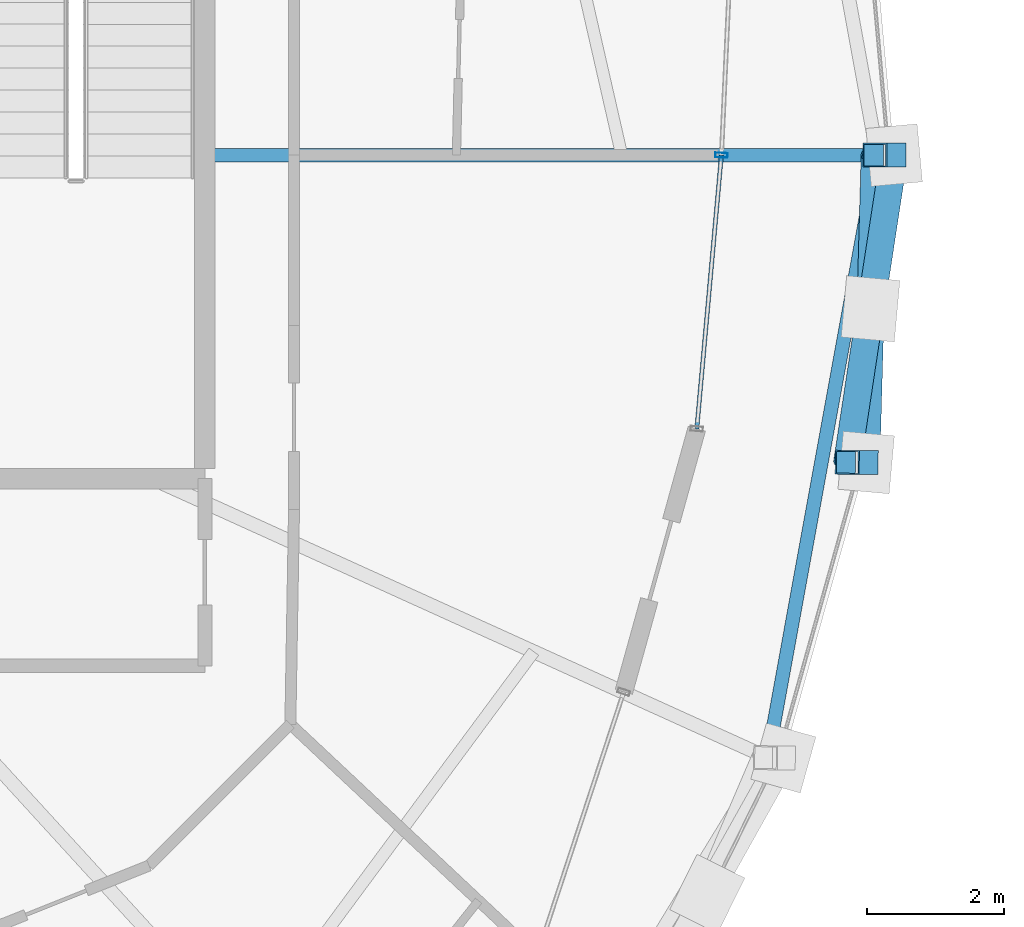
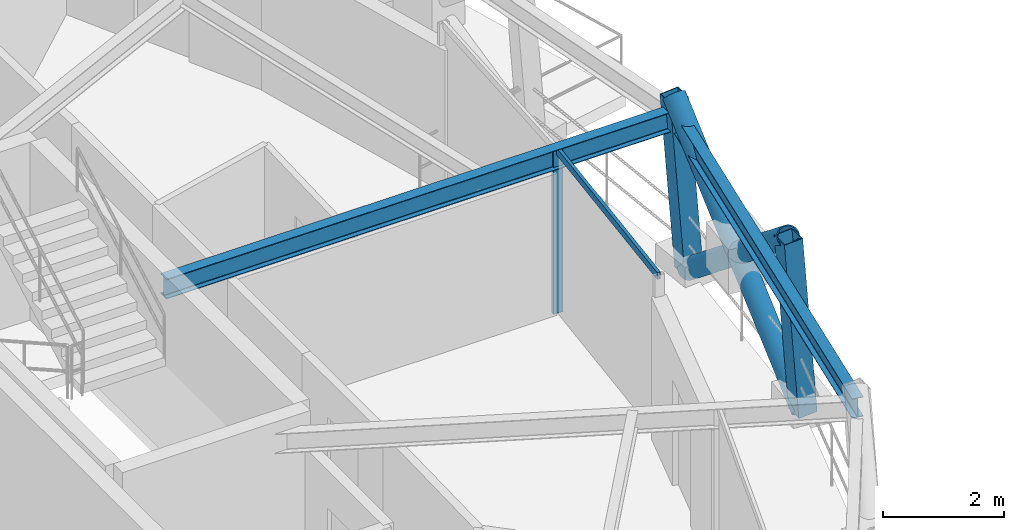
# One storey, part 3 of 12: 7 members, 2 beams, 1 element without a shape of its own.
"""IFC4 building model written with IfcOpenShell, lengths in metres."""

from ifc_helpers import new_model, si_unit, direction, frame, origin, origin_2d, place, context, subcontext, project, spatial, hollow_rectangle, hollow_circle, i_section, extrude, material, layer, layer_set, material_profile, profile_set, type_object, element, aggregate, save


model = new_model("IFC4")

# Units and contexts
model_context = context("Model", 3, precision=1e-05, world=origin(), true_north=direction((0.0, 1.0)))
body_context = subcontext(model_context, "Body", "Model", "MODEL_VIEW")
ifc_project = project(units=[si_unit("LENGTHUNIT", "METRE"), si_unit("AREAUNIT", "SQUARE_METRE"), si_unit("VOLUMEUNIT", "CUBIC_METRE"), si_unit("PLANEANGLEUNIT", "RADIAN"), si_unit("MASSUNIT", "GRAM", prefix="KILO")], contexts=[model_context])

# Site, building, storey
site_placement = place(None, origin())
site = spatial("IfcSite", under=ifc_project, at=site_placement, CompositionType="ELEMENT")
building_placement = place(site_placement, origin())
building = spatial("IfcBuilding", under=site, at=building_placement, Name="Veldorina Hangang Commons", CompositionType="ELEMENT")
storey_placement = place(building_placement, frame((0.0, 0.0, 272.39990234375)))
storey = spatial("IfcBuildingStorey", under=building, at=storey_placement, Name="L71", CompositionType="ELEMENT", Elevation=272.39990234375)

# Beams
ifc_material_1 = material(Name="Steel SM355-TMC", Category="steel")
ifc_material_profile_1 = material_profile(ifc_material_1, i_section(OverallWidth=0.199951171875, OverallDepth=0.39990234375, WebThickness=0.008056640625, FlangeThickness=0.012939453125, FilletRadius=0.012939453125, at=origin_2d()), Name="H-400x200x8x13")
ifc_profile_set_1 = profile_set([ifc_material_profile_1], Name="Steel SM355-TMC")
beam_type_1 = type_object("IfcBeamType", Name="BM-FG400", PredefinedType="BEAM", material=ifc_profile_set_1)
beam_1_placement = place(storey_placement, frame((43.179931640625, 24.0, 3.16015625), z_axis=(1.0, 0.0, 0.0), x_axis=(0.0, 1.0, 0.0)))
element("IfcBeam", 1, at=beam_1_placement, inside=storey, type_object=beam_type_1, Name="L71 radial floor girder 01", PredefinedType="BEAM", context=body_context, shape_type="SweptSolid", body=[
    extrude(i_section(OverallWidth=0.199951171875, OverallDepth=0.39990234375, WebThickness=0.008056640625, FlangeThickness=0.012939453125, FilletRadius=0.012939453125, at=origin_2d()), origin(), (0.0, 0.0, 1.0), 9.809326171875),
])
ifc_material_profile_2 = material_profile(ifc_material_1, i_section(OverallWidth=0.199951171875, OverallDepth=0.39990234375, WebThickness=0.008056640625, FlangeThickness=0.012939453125, FilletRadius=0.012939453125, at=origin_2d()), Name="H-400x200x8x13")
ifc_profile_set_2 = profile_set([ifc_material_profile_2], Name="Steel SM355-TMC")
beam_type_2 = type_object("IfcBeamType", Name="BM-RB400", PredefinedType="BEAM", material=ifc_profile_set_2)
beam_2_placement = place(storey_placement, frame((51.3916015625, 15.2080078125, 3.16015625), z_axis=(0.178789267079, 0.983887390903, 0.0), x_axis=(-0.983887390903, 0.178789267079, 0.0)))
element("IfcBeam", 2, at=beam_2_placement, inside=storey, type_object=beam_type_2, Name="L71 perimeter hoop ring beam 30", PredefinedType="BEAM", context=body_context, shape_type="SweptSolid", body=[
    extrude(i_section(OverallWidth=0.199951171875, OverallDepth=0.39990234375, WebThickness=0.008056640625, FlangeThickness=0.012939453125, FilletRadius=0.012939453125, at=origin_2d()), origin(), (0.0, 0.0, 1.0), 8.93603515625),
])

# Curtain wall, members
ifc_material_2 = material(Name="Glass Low-E Selective", Category="glass")
ifc_layer = layer(ifc_material_2, 0.179931640625)
ifc_layer_set = layer_set([ifc_layer], Name="Glass Low-E Selective")
curtain_wall_type = type_object("IfcCurtainWallType", Name="CW-SYS-Z3", PredefinedType="NOTDEFINED", material=ifc_layer_set)
curtain_wall_placement = place(storey_placement, origin())
curtain_wall = element("IfcCurtainWall", 3, at=curtain_wall_placement, inside=storey, type_object=curtain_wall_type, Name="L71 unitised curtain wall CW-L71-R2", PredefinedType="NOTDEFINED")
ifc_material_3 = material(Name="Aluminium Anodized AA6063-T6", Category="aluminium")
ifc_material_profile_3 = material_profile(ifc_material_3, hollow_rectangle(XDim=0.070068359375, YDim=0.179931640625, WallThickness=0.00390625, at=origin_2d()), Name="ALU-RHS-180x70x4")
ifc_profile_set_3 = profile_set([ifc_material_profile_3], Name="Aluminium Anodized AA6063-T6")
member_type_1 = type_object("IfcMemberType", Name="CW-MUL-180", PredefinedType="MULLION", material=ifc_profile_set_3)
member_1_placement = place(storey_placement, frame((50.71630859375, 24.0, 0.0), z_axis=(0.0, 0.0, 1.0), x_axis=(0.046182433077, 0.998933022217, 0.0)))
member_1 = element("IfcMember", 4, at=member_1_placement, type_object=member_type_1, Name="CW-L71-R2 vertical mullion 2", PredefinedType="MULLION", context=body_context, shape_type="SweptSolid", body=[
    extrude(hollow_rectangle(XDim=0.070068359375, YDim=0.179931640625, WallThickness=0.00390625, at=origin_2d()), origin(), (0.0, 0.0, 1.0), 3.320068359375),
])
ifc_material_profile_4 = material_profile(ifc_material_3, hollow_rectangle(XDim=0.06005859375, YDim=0.139892578125, WallThickness=0.00341796875, at=origin_2d()), Name="ALU-RHS-140x60x3.5")
ifc_profile_set_4 = profile_set([ifc_material_profile_4], Name="Aluminium Anodized AA6063-T6")
member_type_2 = type_object("IfcMemberType", Name="CW-TRN-140", PredefinedType="USERDEFINED", material=ifc_profile_set_4)
member_2_placement = place(storey_placement, frame((50.356689453125, 20.007568359375, 3.280029296875), z_axis=(0.089712009601, 0.995967748139, 0.0), x_axis=(-0.995967748139, 0.089712009601, 0.0)))
member_2 = element("IfcMember", 5, at=member_2_placement, type_object=member_type_2, Name="CW-L71-R2 facet 1 transom 1", ObjectType="TRANSOM", PredefinedType="USERDEFINED", context=body_context, shape_type="SweptSolid", body=[
    extrude(hollow_rectangle(XDim=0.06005859375, YDim=0.139892578125, WallThickness=0.00341796875, at=origin_2d()), origin(), (0.0, 0.0, 1.0), 4.008544921875),
])
aggregate(curtain_wall, [member_1, member_2])

# Members
ifc_material_profile_5 = material_profile(ifc_material_1, hollow_circle(Radius=0.199951171875, WallThickness=0.02001953125, at=origin_2d()), Name="CHS-400x20")
ifc_profile_set_5 = profile_set([ifc_material_profile_5], Name="Steel SM355-TMC")
member_type_3 = type_object("IfcMemberType", Name="DG-CHS400", PredefinedType="BRACE", material=ifc_profile_set_5)
member_3_placement = place(storey_placement, frame((52.828369140625, 19.515869140625, 0.0), z_axis=(0.021986696338, 0.779593922081, 0.625899274515), x_axis=(-0.999602539395, 0.028191545457, 0.0)))
element("IfcMember", 6, at=member_3_placement, inside=storey, type_object=member_type_3, Name="L71 continuous perimeter diagrid brace 31", PredefinedType="BRACE", context=body_context, shape_type="SweptSolid", body=[
    extrude(hollow_circle(Radius=0.199951171875, WallThickness=0.02001953125, at=origin_2d()), origin(), (0.0, 0.0, 1.0), 5.751953125),
])
member_4_placement = place(storey_placement, frame((53.236328125, 24.0, 0.0), z_axis=(-0.119042836244, -0.774031359458, 0.621855495846), x_axis=(0.988379163847, -0.152008646046, 0.0)))
element("IfcMember", 7, at=member_4_placement, inside=storey, type_object=member_type_3, Name="L71 split perimeter diagrid lower brace 00", PredefinedType="BRACE", context=body_context, shape_type="SweptSolid", body=[
    extrude(hollow_circle(Radius=0.199951171875, WallThickness=0.02001953125, at=origin_2d()), origin(), (0.0, 0.0, 1.0), 2.895751953125),
])
member_5_placement = place(storey_placement, frame((52.8916015625, 21.758544921875, 1.80078125), z_axis=(-0.117288939032, -0.774275758676, 0.621884518466), x_axis=(0.988720339916, -0.149773460384, 0.0)))
element("IfcMember", 8, at=member_5_placement, inside=storey, type_object=member_type_3, Name="L71 split perimeter diagrid upper brace 00", PredefinedType="BRACE", context=body_context, shape_type="SweptSolid", body=[
    extrude(hollow_circle(Radius=0.199951171875, WallThickness=0.02001953125, at=origin_2d()), origin(), (0.0, 0.0, 1.0), 2.893310546875),
])
ifc_material_profile_6 = material_profile(ifc_material_1, hollow_rectangle(XDim=0.35009765625, YDim=0.35009765625, WallThickness=0.01611328125, at=origin_2d()), Name="SHS-350x350x16")
ifc_profile_set_6 = profile_set([ifc_material_profile_6], Name="Steel SM355-TMC")
member_type_4 = type_object("IfcMemberType", Name="STR-SHS350", PredefinedType="STRUT", material=ifc_profile_set_6)
member_6_placement = place(storey_placement, frame((53.236328125, 24.0, 0.0), z_axis=(-0.07795276567, 0.0, 0.9969570534), x_axis=(0.0, -1.0, 0.0)))
element("IfcMember", 9, at=member_6_placement, inside=storey, type_object=member_type_4, Name="L71 perimeter ring node post 00", PredefinedType="STRUT", context=body_context, shape_type="SweptSolid", body=[
    extrude(hollow_rectangle(XDim=0.35009765625, YDim=0.35009765625, WallThickness=0.01611328125, at=origin_2d()), origin(), (0.0, 0.0, 1.0), 3.611083984375),
])
member_7_placement = place(storey_placement, frame((52.828369140625, 19.515869140625, 0.0), z_axis=(-0.076474140834, 0.000676163933, 0.997071335756), x_axis=(-0.008841387393, -0.999960914171, 0.0)))
element("IfcMember", 10, at=member_7_placement, inside=storey, type_object=member_type_4, Name="L71 perimeter ring node post 31", PredefinedType="STRUT", context=body_context, shape_type="SweptSolid", body=[
    extrude(hollow_rectangle(XDim=0.35009765625, YDim=0.35009765625, WallThickness=0.01611328125, at=origin_2d()), origin(), (0.0, 0.0, 1.0), 3.610595703125),
])

save(model, "model.ifc")
